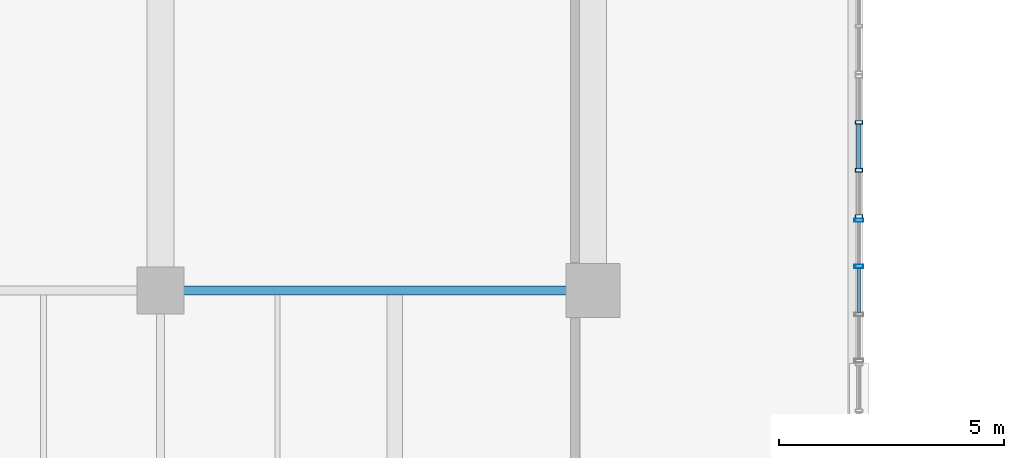
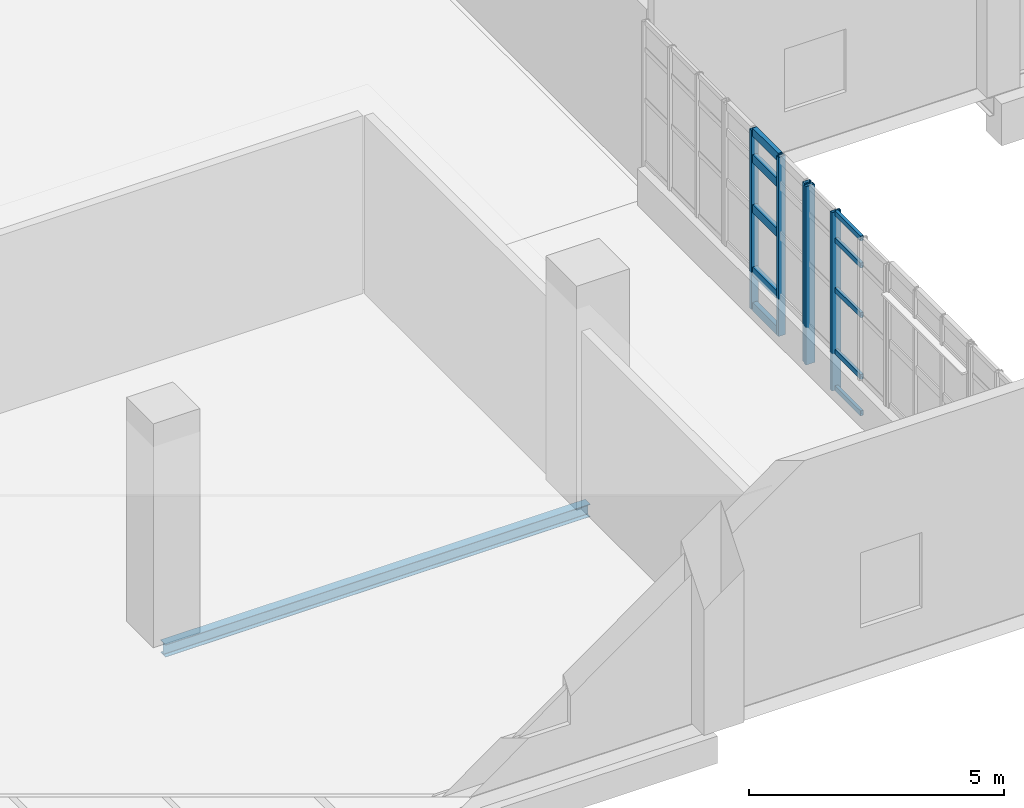
# One storey, part 24 of 57: 15 members, 1 beam, 2 elements without a shape of their own.
"""IFC4 building model written with IfcOpenShell, lengths in metres."""

from ifc_helpers import new_model, si_unit, derived_unit, direction, frame, origin, origin_2d, place, context, subcontext, project, spatial, hollow_rectangle, i_section, extrude, material, layer, layer_set, material_profile, profile_set, type_object, element, aggregate, save


model = new_model("IFC4")

# Units and contexts
model_context = context("Model", 3, precision=1e-05, world=origin(), true_north=direction((0.0, 1.0)))
body_context = subcontext(model_context, "Body", "Model", "MODEL_VIEW")
ifc_project = project(units=[si_unit("LENGTHUNIT", "METRE"), si_unit("AREAUNIT", "SQUARE_METRE"), si_unit("VOLUMEUNIT", "CUBIC_METRE"), si_unit("PLANEANGLEUNIT", "RADIAN"), si_unit("MASSUNIT", "GRAM", prefix="KILO"), derived_unit("THERMALTRANSMITTANCEUNIT", [(si_unit("POWERUNIT", "WATT"), 1), (si_unit("LENGTHUNIT", "METRE"), -2), (si_unit("THERMODYNAMICTEMPERATUREUNIT", "KELVIN"), -1)])], contexts=[model_context])

# Site, building, storey
site_placement = place(None, origin())
site = spatial("IfcSite", under=ifc_project, at=site_placement, CompositionType="ELEMENT")
building_placement = place(site_placement, origin())
building = spatial("IfcBuilding", under=site, at=building_placement, Name="Nallur Shell Playhouse", CompositionType="ELEMENT")
storey_placement = place(building_placement, origin())
storey = spatial("IfcBuildingStorey", under=building, at=storey_placement, Name="L01", CompositionType="ELEMENT", Elevation=0.0)

# Beam
ifc_material_1 = material(Name="Steel E250", Category="steel")
ifc_material_profile_1 = material_profile(ifc_material_1, i_section(OverallWidth=0.199951171875, OverallDepth=0.300048828125, WebThickness=0.00732421875, FlangeThickness=0.010009765625, FilletRadius=0.010986328125, at=origin_2d()), Name="ISWB 300")
ifc_profile_set_1 = profile_set([ifc_material_profile_1], Name="Steel E250")
beam_type = type_object("IfcBeamType", Name="BM-ST-ISWB300", PredefinedType="BEAM", material=ifc_profile_set_1)
beam_placement = place(storey_placement, frame((103.0, 16.0, -0.469970703125), z_axis=(1.0, 0.0, 0.0), x_axis=(0.0, 1.0, 0.0)))
element("IfcBeam", 1, at=beam_placement, inside=storey, type_object=beam_type, Name="L01 girder X-B-23", PredefinedType="BEAM", context=body_context, shape_type="SweptSolid", body=[
    extrude(i_section(OverallWidth=0.199951171875, OverallDepth=0.300048828125, WebThickness=0.00732421875, FlangeThickness=0.010009765625, FilletRadius=0.010986328125, at=origin_2d()), origin(), (0.0, 0.0, 1.0), 9.60009765625),
])

# Curtain wall, members
ifc_material_2 = material(Name="Anodised Aluminium Double-Glazed Facade System", Category="aluminium")
ifc_layer_1 = layer(ifc_material_2, 0.16796875)
ifc_layer_set_1 = layer_set([ifc_layer_1], Name="Anodised Aluminium Double-Glazed Facade System")
curtain_wall_type_1 = type_object("IfcCurtainWallType", Name="CW-UNIT-02", PredefinedType="NOTDEFINED", material=ifc_layer_set_1)
curtain_wall_1_placement = place(storey_placement, origin())
curtain_wall_1 = element("IfcCurtainWall", 2, at=curtain_wall_1_placement, inside=storey, type_object=curtain_wall_type_1, Name="Unitised curtain wall CW-002 (L01)", PredefinedType="NOTDEFINED")
ifc_material_3 = material(Name="Aluminium Alloy 6063-T6 Mullion", Category="aluminium")
ifc_material_profile_2 = material_profile(ifc_material_3, hollow_rectangle(XDim=0.080078125, YDim=0.159912109375, WallThickness=0.006103515625, at=origin_2d()), Name="RHS 160x80x6")
ifc_profile_set_2 = profile_set([ifc_material_profile_2], Name="Aluminium Alloy 6063-T6 Mullion")
member_type_1 = type_object("IfcMemberType", Name="MB-CW-MUL150", PredefinedType="MULLION", material=ifc_profile_set_2)
member_1_placement = place(storey_placement, frame((118.510009765625, 19.731689453125, -0.014892578125), z_axis=(0.0, 0.0, 1.0), x_axis=(0.0, -1.0, 0.0)))
member_1 = element("IfcMember", 3, at=member_1_placement, type_object=member_type_1, Name="CW-02 mullion 2", PredefinedType="MULLION", context=body_context, shape_type="SweptSolid", body=[
    extrude(hollow_rectangle(XDim=0.080078125, YDim=0.159912109375, WallThickness=0.006103515625, at=origin_2d()), origin(), (0.0, 0.0, 1.0), 4.283935546875),
])
member_2_placement = place(storey_placement, frame((118.510009765625, 18.668212890625, -0.014892578125), z_axis=(0.0, 0.0, 1.0), x_axis=(0.0, -1.0, 0.0)))
member_2 = element("IfcMember", 4, at=member_2_placement, type_object=member_type_1, Name="CW-02 mullion 3", PredefinedType="MULLION", context=body_context, shape_type="SweptSolid", body=[
    extrude(hollow_rectangle(XDim=0.080078125, YDim=0.159912109375, WallThickness=0.006103515625, at=origin_2d()), origin(), (0.0, 0.0, 1.0), 4.283935546875),
])
member_3_placement = place(storey_placement, frame((118.510009765625, 17.64501953125, -0.014892578125), z_axis=(0.0, 0.0, 1.0), x_axis=(0.0, -1.0, 0.0)))
member_3 = element("IfcMember", 5, at=member_3_placement, type_object=member_type_1, Name="CW-02 mullion 4", PredefinedType="MULLION", context=body_context, shape_type="SweptSolid", body=[
    extrude(hollow_rectangle(XDim=0.080078125, YDim=0.159912109375, WallThickness=0.006103515625, at=origin_2d()), origin(), (0.0, 0.0, 1.0), 4.283935546875),
])

ifc_layer_2 = layer(ifc_material_2, 0.172119140625)
ifc_layer_set_2 = layer_set([ifc_layer_2], Name="Anodised Aluminium Double-Glazed Facade System")
curtain_wall_type_2 = type_object("IfcCurtainWallType", Name="CW-UNIT-03", PredefinedType="NOTDEFINED", material=ifc_layer_set_2)
curtain_wall_2_placement = place(storey_placement, origin())
curtain_wall_2 = element("IfcCurtainWall", 6, at=curtain_wall_2_placement, inside=storey, type_object=curtain_wall_type_2, Name="Unitised curtain wall CW-003 (L01)", PredefinedType="NOTDEFINED")
ifc_material_profile_3 = material_profile(ifc_material_3, hollow_rectangle(XDim=0.074951171875, YDim=0.199951171875, WallThickness=0.0048828125, at=origin_2d()), Name="ALU 75x200x5")
ifc_profile_set_3 = profile_set([ifc_material_profile_3], Name="Aluminium Alloy 6063-T6 Mullion")
member_type_2 = type_object("IfcMemberType", Name="MB-CW-MUL180", PredefinedType="MULLION", material=ifc_profile_set_3)
member_4_placement = place(storey_placement, frame((118.510009765625, 17.5576171875, -0.014892578125), z_axis=(0.0, 0.0, 1.0), x_axis=(0.0, -1.0, 0.0)))
member_4 = element("IfcMember", 7, at=member_4_placement, type_object=member_type_2, Name="CW-03 mullion 1", PredefinedType="MULLION", context=body_context, shape_type="SweptSolid", body=[
    extrude(hollow_rectangle(XDim=0.074951171875, YDim=0.199951171875, WallThickness=0.0048828125, at=origin_2d()), origin(), (0.0, 0.0, 1.0), 4.263916015625),
])
member_5_placement = place(storey_placement, frame((118.510009765625, 16.53173828125, -0.014892578125), z_axis=(0.0, 0.0, 1.0), x_axis=(0.0, -1.0, 0.0)))
member_5 = element("IfcMember", 8, at=member_5_placement, type_object=member_type_2, Name="CW-03 mullion 2", PredefinedType="MULLION", context=body_context, shape_type="SweptSolid", body=[
    extrude(hollow_rectangle(XDim=0.074951171875, YDim=0.199951171875, WallThickness=0.0048828125, at=origin_2d()), origin(), (0.0, 0.0, 1.0), 4.263916015625),
])
ifc_material_4 = material(Name="Aluminium Alloy 6063-T6 Transom", Category="aluminium")
ifc_material_profile_4 = material_profile(ifc_material_4, hollow_rectangle(XDim=0.06494140625, YDim=0.1201171875, WallThickness=0.00390625, at=origin_2d()), Name="ALU 65x120x4")
ifc_profile_set_4 = profile_set([ifc_material_profile_4], Name="Aluminium Alloy 6063-T6 Transom")
member_type_3 = type_object("IfcMemberType", Name="MB-CW-TRN120", PredefinedType="USERDEFINED", material=ifc_profile_set_4)
member_6_placement = place(storey_placement, frame((118.510009765625, 16.502197265625, 0.032470703125), z_axis=(0.0, -1.0, 0.0), x_axis=(1.0, 0.0, 0.0)))
member_6 = element("IfcMember", 9, at=member_6_placement, type_object=member_type_3, Name="CW-03 transom 2.1", ObjectType="TRANSOM", PredefinedType="USERDEFINED", context=body_context, shape_type="SweptSolid", body=[
    extrude(hollow_rectangle(XDim=0.06494140625, YDim=0.1201171875, WallThickness=0.00390625, at=origin_2d()), origin(), (0.0, 0.0, 1.0), 1.00439453125),
])
member_7_placement = place(storey_placement, frame((118.510009765625, 16.502197265625, 0.89990234375), z_axis=(0.0, -1.0, 0.0), x_axis=(1.0, 0.0, 0.0)))
member_7 = element("IfcMember", 10, at=member_7_placement, type_object=member_type_3, Name="CW-03 transom 2.2", ObjectType="TRANSOM", PredefinedType="USERDEFINED", context=body_context, shape_type="SweptSolid", body=[
    extrude(hollow_rectangle(XDim=0.06494140625, YDim=0.1201171875, WallThickness=0.00390625, at=origin_2d()), origin(), (0.0, 0.0, 1.0), 1.00439453125),
])
member_8_placement = place(storey_placement, frame((118.510009765625, 16.502197265625, 2.376953125), z_axis=(0.0, -1.0, 0.0), x_axis=(1.0, 0.0, 0.0)))
member_8 = element("IfcMember", 11, at=member_8_placement, type_object=member_type_3, Name="CW-03 transom 2.3", ObjectType="TRANSOM", PredefinedType="USERDEFINED", context=body_context, shape_type="SweptSolid", body=[
    extrude(hollow_rectangle(XDim=0.06494140625, YDim=0.1201171875, WallThickness=0.00390625, at=origin_2d()), origin(), (0.0, 0.0, 1.0), 1.00439453125),
])
member_9_placement = place(storey_placement, frame((118.510009765625, 16.502197265625, 3.56494140625), z_axis=(0.0, -1.0, 0.0), x_axis=(1.0, 0.0, 0.0)))
member_9 = element("IfcMember", 12, at=member_9_placement, type_object=member_type_3, Name="CW-03 transom 2.4", ObjectType="TRANSOM", PredefinedType="USERDEFINED", context=body_context, shape_type="SweptSolid", body=[
    extrude(hollow_rectangle(XDim=0.06494140625, YDim=0.1201171875, WallThickness=0.00390625, at=origin_2d()), origin(), (0.0, 0.0, 1.0), 1.00439453125),
])
member_10_placement = place(storey_placement, frame((118.510009765625, 16.502197265625, 4.21240234375), z_axis=(0.0, -1.0, 0.0), x_axis=(1.0, 0.0, 0.0)))
member_10 = element("IfcMember", 13, at=member_10_placement, type_object=member_type_3, Name="CW-03 transom 2.5", ObjectType="TRANSOM", PredefinedType="USERDEFINED", context=body_context, shape_type="SweptSolid", body=[
    extrude(hollow_rectangle(XDim=0.06494140625, YDim=0.1201171875, WallThickness=0.00390625, at=origin_2d()), origin(), (0.0, 0.0, 1.0), 1.00439453125),
])
aggregate(curtain_wall_2, [member_4, member_5, member_6, member_7, member_8, member_9, member_10])

# Member
ifc_material_profile_5 = material_profile(ifc_material_4, hollow_rectangle(XDim=0.10009765625, YDim=0.199951171875, WallThickness=0.008056640625, at=origin_2d()), Name="RHS 200x100x8")
ifc_profile_set_5 = profile_set([ifc_material_profile_5], Name="Aluminium Alloy 6063-T6 Transom")
member_type_4 = type_object("IfcMemberType", Name="MB-CW-TRN140", PredefinedType="USERDEFINED", material=ifc_profile_set_5)
member_11_placement = place(storey_placement, frame((118.510009765625, 19.69970703125, 0.050048828125), z_axis=(0.0, -1.0, 0.0), x_axis=(1.0, 0.0, 0.0)))
member_11 = element("IfcMember", 14, at=member_11_placement, type_object=member_type_4, Name="CW-02 transom 2.1", ObjectType="TRANSOM", PredefinedType="USERDEFINED", context=body_context, shape_type="SweptSolid", body=[
    extrude(hollow_rectangle(XDim=0.10009765625, YDim=0.199951171875, WallThickness=0.008056640625, at=origin_2d()), origin(), (0.0, 0.0, 1.0), 0.999267578125),
])

member_12_placement = place(storey_placement, frame((118.510009765625, 19.69970703125, 0.89990234375), z_axis=(0.0, -1.0, 0.0), x_axis=(1.0, 0.0, 0.0)))
member_12 = element("IfcMember", 15, at=member_12_placement, type_object=member_type_4, Name="CW-02 transom 2.2", ObjectType="TRANSOM", PredefinedType="USERDEFINED", context=body_context, shape_type="SweptSolid", body=[
    extrude(hollow_rectangle(XDim=0.10009765625, YDim=0.199951171875, WallThickness=0.008056640625, at=origin_2d()), origin(), (0.0, 0.0, 1.0), 0.999267578125),
])

member_13_placement = place(storey_placement, frame((118.510009765625, 19.69970703125, 2.387939453125), z_axis=(0.0, -1.0, 0.0), x_axis=(1.0, 0.0, 0.0)))
member_13 = element("IfcMember", 16, at=member_13_placement, type_object=member_type_4, Name="CW-02 transom 2.3", ObjectType="TRANSOM", PredefinedType="USERDEFINED", context=body_context, shape_type="SweptSolid", body=[
    extrude(hollow_rectangle(XDim=0.10009765625, YDim=0.199951171875, WallThickness=0.008056640625, at=origin_2d()), origin(), (0.0, 0.0, 1.0), 0.999267578125),
])

member_14_placement = place(storey_placement, frame((118.510009765625, 19.69970703125, 3.5849609375), z_axis=(0.0, -1.0, 0.0), x_axis=(1.0, 0.0, 0.0)))
member_14 = element("IfcMember", 17, at=member_14_placement, type_object=member_type_4, Name="CW-02 transom 2.4", ObjectType="TRANSOM", PredefinedType="USERDEFINED", context=body_context, shape_type="SweptSolid", body=[
    extrude(hollow_rectangle(XDim=0.10009765625, YDim=0.199951171875, WallThickness=0.008056640625, at=origin_2d()), origin(), (0.0, 0.0, 1.0), 0.999267578125),
])

member_15_placement = place(storey_placement, frame((118.510009765625, 19.69970703125, 4.215087890625), z_axis=(0.0, -1.0, 0.0), x_axis=(1.0, 0.0, 0.0)))
member_15 = element("IfcMember", 18, at=member_15_placement, type_object=member_type_4, Name="CW-02 transom 2.5", ObjectType="TRANSOM", PredefinedType="USERDEFINED", context=body_context, shape_type="SweptSolid", body=[
    extrude(hollow_rectangle(XDim=0.10009765625, YDim=0.199951171875, WallThickness=0.008056640625, at=origin_2d()), origin(), (0.0, 0.0, 1.0), 0.999267578125),
])

aggregate(curtain_wall_1, [member_1, member_2, member_3, member_11, member_12, member_13, member_14, member_15])

save(model, "model.ifc")
